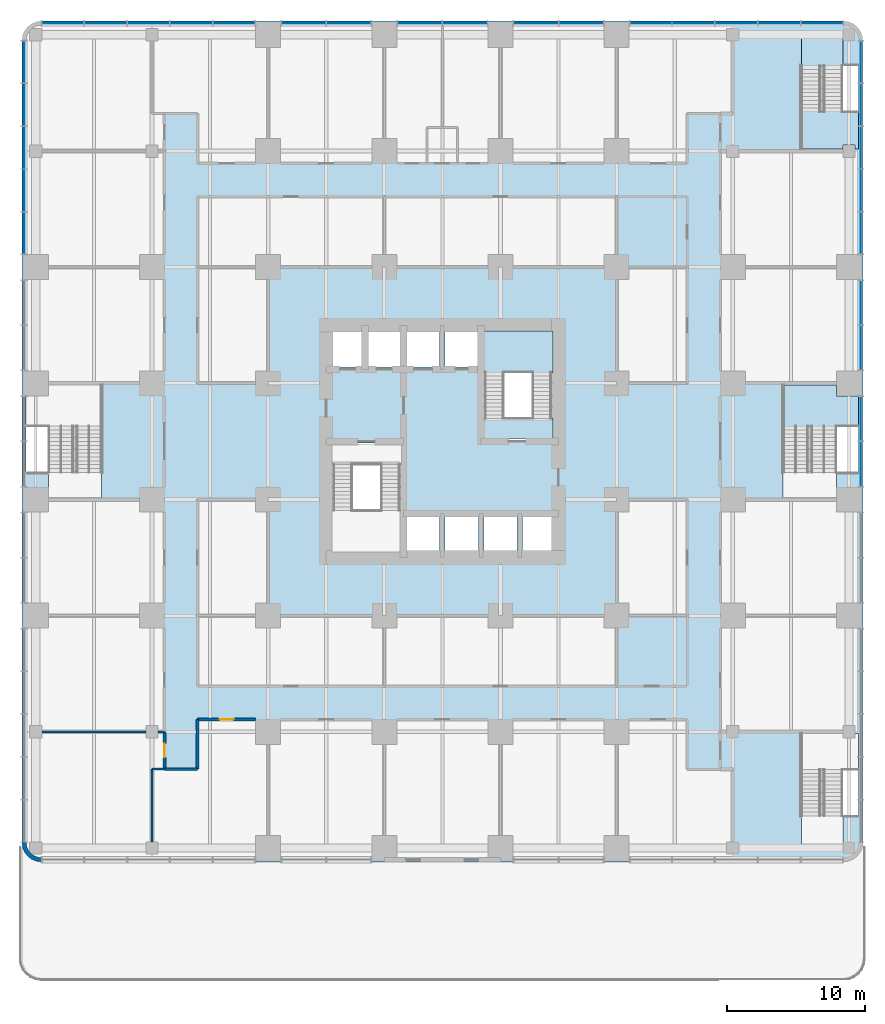
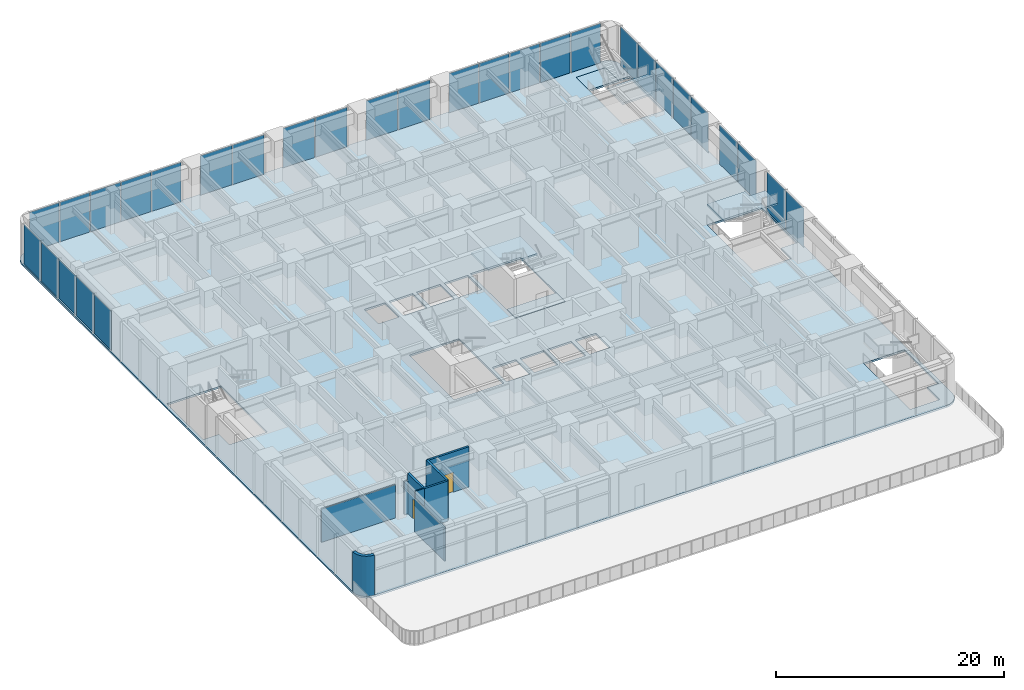
# One storey, part 9 of 19: 30 plates, 9 walls, 6 slabs, 2 doors, 2 openings, 6 elements without a shape of their own.
"""IFC4 building model written with IfcOpenShell, lengths in metres."""

from ifc_helpers import new_model, si_unit, direction, frame, frame_2d, origin, origin_2d, place, context, subcontext, project, spatial, polyline, rectangle, outline, extrude, material, layer, layer_set, type_object, element, fill, aggregate, save


model = new_model("IFC4")

# Units and contexts
model_context = context("Model", 3, precision=1e-05, world=origin(), true_north=direction((0.0, 1.0)))
body_context = subcontext(model_context, "Body", "Model", "MODEL_VIEW")
ifc_project = project(units=[si_unit("LENGTHUNIT", "METRE"), si_unit("AREAUNIT", "SQUARE_METRE"), si_unit("VOLUMEUNIT", "CUBIC_METRE"), si_unit("PLANEANGLEUNIT", "RADIAN"), si_unit("MASSUNIT", "GRAM", prefix="KILO")], contexts=[model_context])

# Site, building, storey
site_placement = place(None, origin())
site = spatial("IfcSite", under=ifc_project, at=site_placement, CompositionType="ELEMENT")
building_placement = place(site_placement, origin())
building = spatial("IfcBuilding", under=site, at=building_placement, Name="Torre Alcanfor", CompositionType="ELEMENT")
storey_placement = place(building_placement, frame((0.0, 0.0, 15.0)))
storey = spatial("IfcBuildingStorey", under=building, at=storey_placement, Name="L03", CompositionType="ELEMENT", Elevation=15.0)

# Curtain wall, plates
ifc_material_1 = material(Name="Aluminium and glass", Category="aluminium")
curtain_wall_type = type_object("IfcCurtainWallType", Name="CW-B unitised classroom glazing with vertical FIN", PredefinedType="NOTDEFINED", material=ifc_material_1)
curtain_wall_1_placement = place(storey_placement, origin())
curtain_wall_1 = element("IfcCurtainWall", 1, at=curtain_wall_1_placement, inside=storey, type_object=curtain_wall_type, Name="Curtain wall CW-B L03 1", PredefinedType="NOTDEFINED")
ifc_material_2 = material(Name="Glass", Category="glass")
ifc_layer_1 = layer(ifc_material_2, 0.028076171875)
ifc_layer_set_1 = layer_set([ifc_layer_1], Name="CW-B clear double glazed unit")
plate_type = type_object("IfcPlateType", Name="CW-B clear double glazed unit", PredefinedType="CURTAIN_PANEL", material=ifc_layer_set_1)
plate_1_placement = place(storey_placement, frame((59.64990234375, 27.768798828125, 0.0), z_axis=(0.0, 0.0, 1.0), x_axis=(0.0, 1.0, 0.0)))
plate_1 = element("IfcPlate", 2, at=plate_1_placement, type_object=plate_type, Name="CW-B panel 3.1.1", PredefinedType="CURTAIN_PANEL", context=body_context, shape_type="SweptSolid", body=[
    extrude(rectangle(XDim=3.197509765625, YDim=0.028076171875, at=origin_2d()), origin(), (0.0, 0.0, 1.0), 4.235107421875),
])
plate_2_placement = place(storey_placement, frame((59.64990234375, 31.03125, 0.0), z_axis=(0.0, 0.0, 1.0), x_axis=(0.0, 1.0, 0.0)))
plate_2 = element("IfcPlate", 3, at=plate_2_placement, type_object=plate_type, Name="CW-B panel 3.2.1", PredefinedType="CURTAIN_PANEL", context=body_context, shape_type="SweptSolid", body=[
    extrude(rectangle(XDim=3.197509765625, YDim=0.028076171875, at=origin_2d()), origin(), (0.0, 0.0, 1.0), 4.235107421875),
])
plate_3_placement = place(storey_placement, frame((59.64990234375, 36.168701171875, 0.0), z_axis=(0.0, 0.0, 1.0), x_axis=(0.0, 1.0, 0.0)))
plate_3 = element("IfcPlate", 4, at=plate_3_placement, type_object=plate_type, Name="CW-B panel 4.1.1", PredefinedType="CURTAIN_PANEL", context=body_context, shape_type="SweptSolid", body=[
    extrude(rectangle(XDim=3.197509765625, YDim=0.028076171875, at=origin_2d()), origin(), (0.0, 0.0, 1.0), 4.235107421875),
])
plate_4_placement = place(storey_placement, frame((59.64990234375, 39.43115234375, 0.0), z_axis=(0.0, 0.0, 1.0), x_axis=(0.0, 1.0, 0.0)))
plate_4 = element("IfcPlate", 5, at=plate_4_placement, type_object=plate_type, Name="CW-B panel 4.2.1", PredefinedType="CURTAIN_PANEL", context=body_context, shape_type="SweptSolid", body=[
    extrude(rectangle(XDim=3.197509765625, YDim=0.028076171875, at=origin_2d()), origin(), (0.0, 0.0, 1.0), 4.235107421875),
])
plate_5_placement = place(storey_placement, frame((59.64990234375, 44.470703125, 0.0), z_axis=(0.0, 0.0, 1.0), x_axis=(0.0, 1.0, 0.0)))
plate_5 = element("IfcPlate", 6, at=plate_5_placement, type_object=plate_type, Name="CW-B panel 5.1.1", PredefinedType="CURTAIN_PANEL", context=body_context, shape_type="SweptSolid", body=[
    extrude(rectangle(XDim=3.00146484375, YDim=0.028076171875, at=origin_2d()), origin(), (0.0, 0.0, 1.0), 4.235107421875),
])
plate_6_placement = place(storey_placement, frame((59.64990234375, 47.553466796875, 0.0), z_axis=(0.0, 0.0, 1.0), x_axis=(0.0, 1.0, 0.0)))
plate_6 = element("IfcPlate", 7, at=plate_6_placement, type_object=plate_type, Name="CW-B panel 5.2.1", PredefinedType="CURTAIN_PANEL", context=body_context, shape_type="SweptSolid", body=[
    extrude(rectangle(XDim=3.033935546875, YDim=0.028076171875, at=origin_2d()), origin(), (0.0, 0.0, 1.0), 4.235107421875),
])
plate_7_placement = place(storey_placement, frame((59.64990234375, 50.652587890625, 0.0), z_axis=(0.0, 0.0, 1.0), x_axis=(0.0, 1.0, 0.0)))
plate_7 = element("IfcPlate", 8, at=plate_7_placement, type_object=plate_type, Name="CW-B panel 5.3.1", PredefinedType="CURTAIN_PANEL", context=body_context, shape_type="SweptSolid", body=[
    extrude(rectangle(XDim=3.033935546875, YDim=0.028076171875, at=origin_2d()), origin(), (0.0, 0.0, 1.0), 4.235107421875),
])
plate_8_placement = place(storey_placement, frame((59.64990234375, 53.75146484375, 0.0), z_axis=(0.0, 0.0, 1.0), x_axis=(0.0, 1.0, 0.0)))
plate_8 = element("IfcPlate", 9, at=plate_8_placement, type_object=plate_type, Name="CW-B panel 5.4.1", PredefinedType="CURTAIN_PANEL", context=body_context, shape_type="SweptSolid", body=[
    extrude(rectangle(XDim=3.033935546875, YDim=0.028076171875, at=origin_2d()), origin(), (0.0, 0.0, 1.0), 4.235107421875),
])
plate_9_placement = place(storey_placement, frame((59.64990234375, 56.834228515625, 0.0), z_axis=(0.0, 0.0, 1.0), x_axis=(0.0, 1.0, 0.0)))
plate_9 = element("IfcPlate", 10, at=plate_9_placement, type_object=plate_type, Name="CW-B panel 5.5.1", PredefinedType="CURTAIN_PANEL", context=body_context, shape_type="SweptSolid", body=[
    extrude(rectangle(XDim=3.00146484375, YDim=0.028076171875, at=origin_2d()), origin(), (0.0, 0.0, 1.0), 4.235107421875),
])
aggregate(curtain_wall_1, [plate_1, plate_2, plate_3, plate_4, plate_5, plate_6, plate_7, plate_8, plate_9])

curtain_wall_2_placement = place(storey_placement, origin())
curtain_wall_2 = element("IfcCurtainWall", 11, at=curtain_wall_2_placement, inside=storey, type_object=curtain_wall_type, Name="Curtain wall CW-B L03 2", PredefinedType="NOTDEFINED")
plate_10_placement = place(storey_placement, frame((56.834228515625, 59.64990234375, 0.0), z_axis=(0.0, 0.0, 1.0), x_axis=(-1.0, 0.0, 0.0)))
plate_10 = element("IfcPlate", 12, at=plate_10_placement, type_object=plate_type, Name="CW-B panel 1.1.1", PredefinedType="CURTAIN_PANEL", context=body_context, shape_type="SweptSolid", body=[
    extrude(rectangle(XDim=3.00146484375, YDim=0.028076171875, at=origin_2d()), origin(), (0.0, 0.0, 1.0), 4.235107421875),
])
plate_11_placement = place(storey_placement, frame((53.75146484375, 59.64990234375, 0.0), z_axis=(0.0, 0.0, 1.0), x_axis=(-1.0, 0.0, 0.0)))
plate_11 = element("IfcPlate", 13, at=plate_11_placement, type_object=plate_type, Name="CW-B panel 1.2.1", PredefinedType="CURTAIN_PANEL", context=body_context, shape_type="SweptSolid", body=[
    extrude(rectangle(XDim=3.033935546875, YDim=0.028076171875, at=origin_2d()), origin(), (0.0, 0.0, 1.0), 4.235107421875),
])
plate_12_placement = place(storey_placement, frame((50.652587890625, 59.64990234375, 0.0), z_axis=(0.0, 0.0, 1.0), x_axis=(-1.0, 0.0, 0.0)))
plate_12 = element("IfcPlate", 14, at=plate_12_placement, type_object=plate_type, Name="CW-B panel 1.3.1", PredefinedType="CURTAIN_PANEL", context=body_context, shape_type="SweptSolid", body=[
    extrude(rectangle(XDim=3.033935546875, YDim=0.028076171875, at=origin_2d()), origin(), (0.0, 0.0, 1.0), 4.235107421875),
])
plate_13_placement = place(storey_placement, frame((47.553466796875, 59.64990234375, 0.0), z_axis=(0.0, 0.0, 1.0), x_axis=(-1.0, 0.0, 0.0)))
plate_13 = element("IfcPlate", 15, at=plate_13_placement, type_object=plate_type, Name="CW-B panel 1.4.1", PredefinedType="CURTAIN_PANEL", context=body_context, shape_type="SweptSolid", body=[
    extrude(rectangle(XDim=3.033935546875, YDim=0.028076171875, at=origin_2d()), origin(), (0.0, 0.0, 1.0), 4.235107421875),
])
plate_14_placement = place(storey_placement, frame((44.470703125, 59.64990234375, 0.0), z_axis=(0.0, 0.0, 1.0), x_axis=(-1.0, 0.0, 0.0)))
plate_14 = element("IfcPlate", 16, at=plate_14_placement, type_object=plate_type, Name="CW-B panel 1.5.1", PredefinedType="CURTAIN_PANEL", context=body_context, shape_type="SweptSolid", body=[
    extrude(rectangle(XDim=3.00146484375, YDim=0.028076171875, at=origin_2d()), origin(), (0.0, 0.0, 1.0), 4.235107421875),
])
plate_15_placement = place(storey_placement, frame((39.43115234375, 59.64990234375, 0.0), z_axis=(0.0, 0.0, 1.0), x_axis=(-1.0, 0.0, 0.0)))
plate_15 = element("IfcPlate", 17, at=plate_15_placement, type_object=plate_type, Name="CW-B panel 2.1.1", PredefinedType="CURTAIN_PANEL", context=body_context, shape_type="SweptSolid", body=[
    extrude(rectangle(XDim=3.197509765625, YDim=0.028076171875, at=origin_2d()), origin(), (0.0, 0.0, 1.0), 4.235107421875),
])
plate_16_placement = place(storey_placement, frame((36.168701171875, 59.64990234375, 0.0), z_axis=(0.0, 0.0, 1.0), x_axis=(-1.0, 0.0, 0.0)))
plate_16 = element("IfcPlate", 18, at=plate_16_placement, type_object=plate_type, Name="CW-B panel 2.2.1", PredefinedType="CURTAIN_PANEL", context=body_context, shape_type="SweptSolid", body=[
    extrude(rectangle(XDim=3.197509765625, YDim=0.028076171875, at=origin_2d()), origin(), (0.0, 0.0, 1.0), 4.235107421875),
])
plate_17_placement = place(storey_placement, frame((31.03125, 59.64990234375, 0.0), z_axis=(0.0, 0.0, 1.0), x_axis=(-1.0, 0.0, 0.0)))
plate_17 = element("IfcPlate", 19, at=plate_17_placement, type_object=plate_type, Name="CW-B panel 3.1.1", PredefinedType="CURTAIN_PANEL", context=body_context, shape_type="SweptSolid", body=[
    extrude(rectangle(XDim=3.197509765625, YDim=0.028076171875, at=origin_2d()), origin(), (0.0, 0.0, 1.0), 4.235107421875),
])
plate_18_placement = place(storey_placement, frame((27.768798828125, 59.64990234375, 0.0), z_axis=(0.0, 0.0, 1.0), x_axis=(-1.0, 0.0, 0.0)))
plate_18 = element("IfcPlate", 20, at=plate_18_placement, type_object=plate_type, Name="CW-B panel 3.2.1", PredefinedType="CURTAIN_PANEL", context=body_context, shape_type="SweptSolid", body=[
    extrude(rectangle(XDim=3.197509765625, YDim=0.028076171875, at=origin_2d()), origin(), (0.0, 0.0, 1.0), 4.235107421875),
])
plate_19_placement = place(storey_placement, frame((22.63134765625, 59.64990234375, 0.0), z_axis=(0.0, 0.0, 1.0), x_axis=(-1.0, 0.0, 0.0)))
plate_19 = element("IfcPlate", 21, at=plate_19_placement, type_object=plate_type, Name="CW-B panel 4.1.1", PredefinedType="CURTAIN_PANEL", context=body_context, shape_type="SweptSolid", body=[
    extrude(rectangle(XDim=3.197509765625, YDim=0.028076171875, at=origin_2d()), origin(), (0.0, 0.0, 1.0), 4.235107421875),
])
plate_20_placement = place(storey_placement, frame((19.36865234375, 59.64990234375, 0.0), z_axis=(0.0, 0.0, 1.0), x_axis=(-1.0, 0.0, 0.0)))
plate_20 = element("IfcPlate", 22, at=plate_20_placement, type_object=plate_type, Name="CW-B panel 4.2.1", PredefinedType="CURTAIN_PANEL", context=body_context, shape_type="SweptSolid", body=[
    extrude(rectangle(XDim=3.197509765625, YDim=0.028076171875, at=origin_2d()), origin(), (0.0, 0.0, 1.0), 4.235107421875),
])
plate_21_placement = place(storey_placement, frame((14.329345703125, 59.64990234375, 0.0), z_axis=(0.0, 0.0, 1.0), x_axis=(-1.0, 0.0, 0.0)))
plate_21 = element("IfcPlate", 23, at=plate_21_placement, type_object=plate_type, Name="CW-B panel 5.1.1", PredefinedType="CURTAIN_PANEL", context=body_context, shape_type="SweptSolid", body=[
    extrude(rectangle(XDim=3.00146484375, YDim=0.028076171875, at=origin_2d()), origin(), (0.0, 0.0, 1.0), 4.235107421875),
])
plate_22_placement = place(storey_placement, frame((11.24658203125, 59.64990234375, 0.0), z_axis=(0.0, 0.0, 1.0), x_axis=(-1.0, 0.0, 0.0)))
plate_22 = element("IfcPlate", 24, at=plate_22_placement, type_object=plate_type, Name="CW-B panel 5.2.1", PredefinedType="CURTAIN_PANEL", context=body_context, shape_type="SweptSolid", body=[
    extrude(rectangle(XDim=3.033935546875, YDim=0.028076171875, at=origin_2d()), origin(), (0.0, 0.0, 1.0), 4.235107421875),
])
plate_23_placement = place(storey_placement, frame((8.1474609375, 59.64990234375, 0.0), z_axis=(0.0, 0.0, 1.0), x_axis=(-1.0, 0.0, 0.0)))
plate_23 = element("IfcPlate", 25, at=plate_23_placement, type_object=plate_type, Name="CW-B panel 5.3.1", PredefinedType="CURTAIN_PANEL", context=body_context, shape_type="SweptSolid", body=[
    extrude(rectangle(XDim=3.033935546875, YDim=0.028076171875, at=origin_2d()), origin(), (0.0, 0.0, 1.0), 4.235107421875),
])
plate_24_placement = place(storey_placement, frame((5.048583984375, 59.64990234375, 0.0), z_axis=(0.0, 0.0, 1.0), x_axis=(-1.0, 0.0, 0.0)))
plate_24 = element("IfcPlate", 26, at=plate_24_placement, type_object=plate_type, Name="CW-B panel 5.4.1", PredefinedType="CURTAIN_PANEL", context=body_context, shape_type="SweptSolid", body=[
    extrude(rectangle(XDim=3.033935546875, YDim=0.028076171875, at=origin_2d()), origin(), (0.0, 0.0, 1.0), 4.235107421875),
])
plate_25_placement = place(storey_placement, frame((1.9658203125, 59.64990234375, 0.0), z_axis=(0.0, 0.0, 1.0), x_axis=(-1.0, 0.0, 0.0)))
plate_25 = element("IfcPlate", 27, at=plate_25_placement, type_object=plate_type, Name="CW-B panel 5.5.1", PredefinedType="CURTAIN_PANEL", context=body_context, shape_type="SweptSolid", body=[
    extrude(rectangle(XDim=3.00146484375, YDim=0.028076171875, at=origin_2d()), origin(), (0.0, 0.0, 1.0), 4.235107421875),
])
aggregate(curtain_wall_2, [plate_10, plate_11, plate_12, plate_13, plate_14, plate_15, plate_16, plate_17, plate_18, plate_19, plate_20, plate_21, plate_22, plate_23, plate_24, plate_25])

curtain_wall_3_placement = place(storey_placement, origin())
curtain_wall_3 = element("IfcCurtainWall", 28, at=curtain_wall_3_placement, inside=storey, type_object=curtain_wall_type, Name="Curtain wall CW-B L03 3", PredefinedType="NOTDEFINED")
plate_26_placement = place(storey_placement, frame((-0.85009765625, 56.834228515625, 0.0), z_axis=(0.0, 0.0, 1.0), x_axis=(0.0, -1.0, 0.0)))
plate_26 = element("IfcPlate", 29, at=plate_26_placement, type_object=plate_type, Name="CW-B panel 1.1.1", PredefinedType="CURTAIN_PANEL", context=body_context, shape_type="SweptSolid", body=[
    extrude(rectangle(XDim=3.00146484375, YDim=0.028076171875, at=origin_2d()), origin(), (0.0, 0.0, 1.0), 4.235107421875),
])
plate_27_placement = place(storey_placement, frame((-0.85009765625, 53.75146484375, 0.0), z_axis=(0.0, 0.0, 1.0), x_axis=(0.0, -1.0, 0.0)))
plate_27 = element("IfcPlate", 30, at=plate_27_placement, type_object=plate_type, Name="CW-B panel 1.2.1", PredefinedType="CURTAIN_PANEL", context=body_context, shape_type="SweptSolid", body=[
    extrude(rectangle(XDim=3.033935546875, YDim=0.028076171875, at=origin_2d()), origin(), (0.0, 0.0, 1.0), 4.235107421875),
])
plate_28_placement = place(storey_placement, frame((-0.85009765625, 50.652587890625, 0.0), z_axis=(0.0, 0.0, 1.0), x_axis=(0.0, -1.0, 0.0)))
plate_28 = element("IfcPlate", 31, at=plate_28_placement, type_object=plate_type, Name="CW-B panel 1.3.1", PredefinedType="CURTAIN_PANEL", context=body_context, shape_type="SweptSolid", body=[
    extrude(rectangle(XDim=3.033935546875, YDim=0.028076171875, at=origin_2d()), origin(), (0.0, 0.0, 1.0), 4.235107421875),
])
plate_29_placement = place(storey_placement, frame((-0.85009765625, 47.553466796875, 0.0), z_axis=(0.0, 0.0, 1.0), x_axis=(0.0, -1.0, 0.0)))
plate_29 = element("IfcPlate", 32, at=plate_29_placement, type_object=plate_type, Name="CW-B panel 1.4.1", PredefinedType="CURTAIN_PANEL", context=body_context, shape_type="SweptSolid", body=[
    extrude(rectangle(XDim=3.033935546875, YDim=0.028076171875, at=origin_2d()), origin(), (0.0, 0.0, 1.0), 4.235107421875),
])
plate_30_placement = place(storey_placement, frame((-0.85009765625, 44.470703125, 0.0), z_axis=(0.0, 0.0, 1.0), x_axis=(0.0, -1.0, 0.0)))
plate_30 = element("IfcPlate", 33, at=plate_30_placement, type_object=plate_type, Name="CW-B panel 1.5.1", PredefinedType="CURTAIN_PANEL", context=body_context, shape_type="SweptSolid", body=[
    extrude(rectangle(XDim=3.00146484375, YDim=0.028076171875, at=origin_2d()), origin(), (0.0, 0.0, 1.0), 4.235107421875),
])
aggregate(curtain_wall_3, [plate_26, plate_27, plate_28, plate_29, plate_30])

# Slab
ifc_material_3 = material(Name="Concrete f'c 35 MPa", Category="concrete")
ifc_layer_2 = layer(ifc_material_3, 0.199951171875)
ifc_layer_set_2 = layer_set([ifc_layer_2], Name="Floor slab 200")
slab_type_1 = type_object("IfcSlabType", Name="Floor slab 200", PredefinedType="FLOOR", material=ifc_layer_set_2)
slab_1_placement = place(storey_placement, frame((0.0, 0.0, -0.199951171875)))
element("IfcSlab", 34, at=slab_1_placement, inside=storey, type_object=slab_type_1, Name="Floor slab L03", PredefinedType="FLOOR", context=body_context, shape_type="SweptSolid", body=[
    extrude(outline(polyline([(58.39990234375, -1.0), (58.76220703125, -0.952392578125), (59.10009765625, -0.8125), (59.389892578125, -0.58984375), (59.6123046875, -0.300048828125), (59.752197265625, 0.03759765625), (59.800048828125, 0.39990234375), (59.800048828125, 58.39990234375), (59.752197265625, 58.76220703125), (59.6123046875, 59.10009765625), (59.389892578125, 59.389892578125), (59.10009765625, 59.6123046875), (58.76220703125, 59.752197265625), (58.39990234375, 59.800048828125), (0.39990234375, 59.800048828125), (0.03759765625, 59.752197265625), (-0.300048828125, 59.6123046875), (-0.58984375, 59.389892578125), (-0.8125, 59.10009765625), (-0.952392578125, 58.76220703125), (-1.0, 58.39990234375), (-1.0, 0.39990234375), (-0.952392578125, 0.03759765625), (-0.8125, -0.300048828125), (-0.58984375, -0.58984375), (-0.300048828125, -0.8125), (0.03759765625, -0.952392578125), (0.39990234375, -1.0), (58.39990234375, -1.0)]), holes=[polyline([(21.419921875, 21.419921875), (26.47998046875, 21.419921875), (26.47998046875, 29.280029296875), (21.419921875, 29.280029296875), (21.419921875, 21.419921875)]), polyline([(32.320068359375, 29.52001953125), (37.3798828125, 29.52001953125), (37.3798828125, 37.3798828125), (32.320068359375, 37.3798828125), (32.320068359375, 29.52001953125)]), polyline([(26.800048828125, 21.5), (29.199951171875, 21.5), (29.199951171875, 24.0), (26.800048828125, 24.0), (26.800048828125, 21.5)]), polyline([(29.60009765625, 21.5), (32.0, 21.5), (32.0, 24.0), (29.60009765625, 24.0), (29.60009765625, 21.5)]), polyline([(32.39990234375, 21.5), (34.800048828125, 21.5), (34.800048828125, 24.0), (32.39990234375, 24.0), (32.39990234375, 21.5)]), polyline([(35.199951171875, 21.5), (37.300048828125, 21.5), (37.300048828125, 24.0), (35.199951171875, 24.0), (35.199951171875, 21.5)]), polyline([(21.5, 34.800048828125), (23.60009765625, 34.800048828125), (23.60009765625, 37.300048828125), (21.5, 37.300048828125), (21.5, 34.800048828125)]), polyline([(24.0, 34.800048828125), (26.39990234375, 34.800048828125), (26.39990234375, 37.300048828125), (24.0, 37.300048828125), (24.0, 34.800048828125)]), polyline([(26.800048828125, 34.800048828125), (29.199951171875, 34.800048828125), (29.199951171875, 37.300048828125), (26.800048828125, 37.300048828125), (26.800048828125, 34.800048828125)]), polyline([(29.60009765625, 34.800048828125), (32.0, 34.800048828125), (32.0, 37.300048828125), (29.60009765625, 37.300048828125), (29.60009765625, 34.800048828125)]), polyline([(4.760009765625, 25.324951171875), (0.89990234375, 25.324951171875), (0.89990234375, 27.155029296875), (-0.699951171875, 27.155029296875), (-0.699951171875, 33.47509765625), (4.760009765625, 33.47509765625), (4.760009765625, 25.324951171875)]), polyline([(57.89990234375, 25.324951171875), (54.0400390625, 25.324951171875), (54.0400390625, 33.47509765625), (59.5, 33.47509765625), (59.5, 27.155029296875), (57.89990234375, 27.155029296875), (57.89990234375, 25.324951171875)]), polyline([(58.35009765625, 0.125), (55.35009765625, 0.125), (55.35009765625, 8.27490234375), (59.5, 8.27490234375), (59.5, 2.324951171875), (58.35009765625, 2.324951171875), (58.35009765625, 0.125)]), polyline([(59.5, 56.574951171875), (59.5, 50.52490234375), (55.35009765625, 50.52490234375), (55.35009765625, 58.77490234375), (58.35009765625, 58.77490234375), (58.35009765625, 56.574951171875), (59.5, 56.574951171875)])]), origin(), (0.0, 0.0, 1.0), 0.199951171875),
])

# Stair, slabs
ifc_material_4 = material(Name="Concrete f'c 35 MPa", Category="concrete")
stair_type_1 = type_object("IfcStairType", Name="Exit stair S2 1400 wide", PredefinedType="HALF_TURN_STAIR", material=ifc_material_4)
stair_1_placement = place(storey_placement, origin())
stair_1 = element("IfcStair", 35, at=stair_1_placement, inside=storey, type_object=stair_type_1, Name="Stair S2 L03 to L04", PredefinedType="HALF_TURN_STAIR")
ifc_material_5 = material(Name="Concrete f'c 35 MPa", Category="concrete")
ifc_layer_3 = layer(ifc_material_5, 0.199951171875)
ifc_layer_set_3 = layer_set([ifc_layer_3], Name="Stair landing 200")
slab_type_2 = type_object("IfcSlabType", Name="Stair landing 200", PredefinedType="LANDING", material=ifc_layer_set_3)
slab_2_placement = place(storey_placement, frame((0.0, 0.0, -0.199951171875)))
slab_2 = element("IfcSlab", 36, at=slab_2_placement, type_object=slab_type_2, Name="S2 landing 1", PredefinedType="LANDING", context=body_context, shape_type="SweptSolid", body=[
    extrude(outline(polyline([(32.3701171875, 29.570068359375), (37.3798828125, 29.570068359375), (37.3798828125, 31.10009765625), (32.3701171875, 31.10009765625), (32.3701171875, 29.570068359375)])), origin(), (0.0, 0.0, 1.0), 0.199951171875),
])
slab_3_placement = place(storey_placement, frame((0.0, 0.0, 2.050048828125)))
slab_3 = element("IfcSlab", 37, at=slab_3_placement, type_object=slab_type_2, Name="S2 landing 2", PredefinedType="LANDING", context=body_context, shape_type="SweptSolid", body=[
    extrude(outline(polyline([(32.3701171875, 34.360107421875), (37.3798828125, 34.360107421875), (37.3798828125, 37.3798828125), (32.3701171875, 37.3798828125), (32.3701171875, 34.360107421875)])), origin(), (0.0, 0.0, 1.0), 0.199951171875),
])
aggregate(stair_1, [slab_2, slab_3])

# Stair, slab
ifc_material_6 = material(Name="Concrete f'c 35 MPa", Category="concrete")
stair_type_2 = type_object("IfcStairType", Name="Exit stair SS2 1830 wide", PredefinedType="HALF_TURN_STAIR", material=ifc_material_6)
stair_2_placement = place(storey_placement, origin())
stair_2 = element("IfcStair", 38, at=stair_2_placement, inside=storey, type_object=stair_type_2, Name="Stair SS2 L03 to L04", PredefinedType="HALF_TURN_STAIR")
slab_4_placement = place(storey_placement, frame((0.0, 0.0, 2.050048828125)))
slab_4 = element("IfcSlab", 39, at=slab_4_placement, type_object=slab_type_2, Name="SS2 landing 2", PredefinedType="LANDING", context=body_context, shape_type="SweptSolid", body=[
    extrude(outline(polyline([(59.5, 30.465087890625), (54.0400390625, 30.465087890625), (54.0400390625, 33.465087890625), (57.89990234375, 33.465087890625), (57.89990234375, 32.699951171875), (59.5, 32.699951171875), (59.5, 30.465087890625)])), origin(), (0.0, 0.0, 1.0), 0.199951171875),
])
aggregate(stair_2, [slab_4])

# Stair, slabs
ifc_material_7 = material(Name="Concrete f'c 35 MPa", Category="concrete")
stair_type_3 = type_object("IfcStairType", Name="Exit stair SS4 1400 wide", PredefinedType="HALF_TURN_STAIR", material=ifc_material_7)
stair_3_placement = place(storey_placement, origin())
stair_3 = element("IfcStair", 40, at=stair_3_placement, inside=storey, type_object=stair_type_3, Name="Stair SS4 L03 to L04", PredefinedType="HALF_TURN_STAIR")
slab_5_placement = place(storey_placement, frame((0.0, 0.0, -0.199951171875)))
slab_5 = element("IfcSlab", 41, at=slab_5_placement, type_object=slab_type_2, Name="SS4 landing 1", PredefinedType="LANDING", context=body_context, shape_type="SweptSolid", body=[
    extrude(outline(polyline([(55.35009765625, 58.77490234375), (58.35009765625, 58.77490234375), (58.35009765625, 58.35009765625), (58.35009765625, 58.35009765625), (58.35009765625, 56.52490234375), (55.35009765625, 56.52490234375), (55.35009765625, 58.77490234375)])), origin(), (0.0, 0.0, 1.0), 0.199951171875),
])
slab_6_placement = place(storey_placement, frame((0.0, 0.0, 2.050048828125)))
slab_6 = element("IfcSlab", 42, at=slab_6_placement, type_object=slab_type_2, Name="SS4 landing 2", PredefinedType="LANDING", context=body_context, shape_type="SweptSolid", body=[
    extrude(outline(polyline([(55.35009765625, 50.5400390625), (55.35009765625, 53.264892578125), (59.5, 53.264892578125), (59.5, 50.5400390625), (59.25, 50.5400390625), (59.25, 50.85009765625), (58.35009765625, 50.85009765625), (58.35009765625, 50.5400390625), (55.35009765625, 50.5400390625)])), origin(), (0.0, 0.0, 1.0), 0.199951171875),
])
aggregate(stair_3, [slab_5, slab_6])

# Walls
ifc_material_8 = material(Name="Concrete block masonry, hollow blocks NMX-C-404 9 MPa", Category="masonry")
ifc_layer_4 = layer(ifc_material_8, 0.14990234375)
ifc_layer_set_4 = layer_set([ifc_layer_4], Name="Classroom partition 150")
wall_type_1 = type_object("IfcWallType", Name="Classroom partition 150", PredefinedType="PARTITIONING", material=ifc_layer_set_4)
wall_1_placement = place(storey_placement, frame((8.39990234375, 0.449951171875, 0.0), z_axis=(0.0, 0.0, 1.0), x_axis=(0.0, 1.0, 0.0)))
element("IfcWall", 43, at=wall_1_placement, inside=storey, type_object=wall_type_1, Name="Partition L03-01 / L03-03", PredefinedType="PARTITIONING", context=body_context, shape_type="SweptSolid", body=[
    extrude(rectangle(XDim=5.25, YDim=0.14990234375, at=frame_2d((2.625, 0.0))), origin(), (0.0, 0.0, 1.0), 3.543212890625),
])
wall_2_placement = place(storey_placement, frame((8.39990234375, 5.699951171875, 0.0), z_axis=(0.0, 0.0, 1.0), x_axis=(1.0, 0.0, 0.0)))
element("IfcWall", 44, at=wall_2_placement, inside=storey, type_object=wall_type_1, Name="Partition L03-01 / L03-03", PredefinedType="PARTITIONING", context=body_context, shape_type="SweptSolid", body=[
    extrude(rectangle(XDim=0.900146484375, YDim=0.14990234375, at=frame_2d((0.4501953125, 0.0))), origin(), (0.0, 0.0, 1.0), 4.300048828125),
])
wall_3_placement = place(storey_placement, frame((0.449951171875, 8.39990234375, 0.0), z_axis=(0.0, 0.0, 1.0), x_axis=(1.0, 0.0, 0.0)))
element("IfcWall", 45, at=wall_3_placement, inside=storey, type_object=wall_type_1, Name="Partition L03-03 / L03-08", PredefinedType="PARTITIONING", context=body_context, shape_type="SweptSolid", body=[
    extrude(rectangle(XDim=7.5, YDim=0.14990234375, at=frame_2d((3.75, 0.0))), origin(), (0.0, 0.0, 1.0), 3.543212890625),
])
wall_4_placement = place(storey_placement, frame((8.85009765625, 8.39990234375, 0.0), z_axis=(0.0, 0.0, 1.0), x_axis=(1.0, 0.0, 0.0)))
element("IfcWall", 46, at=wall_4_placement, inside=storey, type_object=wall_type_1, Name="Partition L03-03 / L03-08", PredefinedType="PARTITIONING", context=body_context, shape_type="SweptSolid", body=[
    extrude(rectangle(XDim=0.449951171875, YDim=0.14990234375, at=frame_2d((0.22509765625, 0.0))), origin(), (0.0, 0.0, 1.0), 3.543212890625),
])
ifc_material_9 = material(Name="Limestone cladding", Category="masonry")
ifc_layer_5 = layer(ifc_material_9, 0.0400390625, Name="Facing")
ifc_material_10 = material(Name="Ventilated air cavity")
ifc_layer_6 = layer(ifc_material_10, 0.02001953125, ventilated=True, Name="Ventilated joint")
ifc_material_11 = material(Name="Mineral wool insulation", Category="insulation")
ifc_layer_7 = layer(ifc_material_11, 0.10009765625, Name="Insulation")
ifc_material_12 = material(Name="Concrete f'c 35 MPa", Category="concrete")
ifc_layer_8 = layer(ifc_material_12, 0.139892578125, Name="Backing")
ifc_layer_set_5 = layer_set([ifc_layer_5, ifc_layer_6, ifc_layer_7, ifc_layer_8], Name="Rounded corner pier stone-clad 300")
wall_type_2 = type_object("IfcWallType", Name="Rounded corner pier stone-clad 300", PredefinedType="SOLIDWALL", material=ifc_layer_set_5)
wall_5_placement = place(storey_placement, frame((-0.847901787, 0.444811019, 0.0), z_axis=(0.0, 0.0, 1.0), x_axis=(-0.707106781187, -0.707106781187, 0.0)))
element("IfcWall", 47, at=wall_5_placement, inside=storey, type_object=wall_type_2, Name="Corner pier L03 7", PredefinedType="SOLIDWALL", context=body_context, shape_type="SweptSolid", body=[
    extrude(outline(polyline([(0.13930490662203532, 1.9039664315138563), (-0.10082828005532996, 1.7197664960826926), (-0.08684496724377955, 1.705783183271142), (0.09959920357689223, 1.4627152272382664), (0.2092214706797873, 1.1980680847678131), (0.24668293833542226, 0.9140859912492898), (0.2092214706797873, 0.6301038977307667), (0.09959920357689234, 0.3654567552603133), (-0.0868449672437794, 0.12238879922743755), (-0.10082828005532977, 0.10840548641588717), (0.13930490662203537, -0.07579444901527647), (0.36182947716633707, 0.2140571832142678), (0.5016626052818409, 0.5517282925894844), (0.5491368154445118, 0.9140859912492898), (0.5016626052818408, 1.2764436899090952), (0.36182947716633707, 1.614114799284312), (0.13930490662203532, 1.9039664315138563)])), origin(), (0.0, 0.0, 1.0), 4.300048828125),
])
ifc_material_13 = material(Name="Concrete block masonry, hollow blocks NMX-C-404 9 MPa", Category="masonry")
ifc_layer_9 = layer(ifc_material_13, 0.199951171875)
ifc_layer_set_6 = layer_set([ifc_layer_9], Name="School corridor wall 200")
wall_type_3 = type_object("IfcWallType", Name="School corridor wall 200", PredefinedType="PARTITIONING", material=ifc_layer_set_6)
wall_6_placement = place(storey_placement, frame((9.300048828125, 5.699951171875, 0.0), z_axis=(0.0, 0.0, 1.0), x_axis=(1.0, 0.0, 0.0)))
element("IfcWall", 48, at=wall_6_placement, inside=storey, type_object=wall_type_3, Name="Partition L03-01 / L03-CORR", PredefinedType="PARTITIONING", context=body_context, shape_type="SweptSolid", body=[
    extrude(rectangle(XDim=2.39990234375, YDim=0.199951171875, at=frame_2d((1.199951171875, 0.0))), origin(), (0.0, 0.0, 1.0), 4.300048828125),
])
wall_7_placement = place(storey_placement, frame((11.699951171875, 5.699951171875, 0.0), z_axis=(0.0, 0.0, 1.0), x_axis=(0.0, 1.0, 0.0)))
element("IfcWall", 49, at=wall_7_placement, inside=storey, type_object=wall_type_3, Name="Partition L03-01 / L03-CORR", PredefinedType="PARTITIONING", context=body_context, shape_type="SweptSolid", body=[
    extrude(rectangle(XDim=3.60009765625, YDim=0.199951171875, at=frame_2d((1.800048828125, 0.0))), origin(), (0.0, 0.0, 1.0), 4.300048828125),
])

# Wall, opening, door
wall_8_placement = place(storey_placement, frame((11.699951171875, 9.300048828125, 0.0), z_axis=(0.0, 0.0, 1.0), x_axis=(1.0, 0.0, 0.0)))
wall_8 = element("IfcWall", 50, at=wall_8_placement, inside=storey, type_object=wall_type_3, Name="Partition L03-01 / L03-CORR", PredefinedType="PARTITIONING", context=body_context, shape_type="SweptSolid", body=[
    extrude(rectangle(XDim=4.199951171875, YDim=0.199951171875, at=frame_2d((2.10009765625, 0.0))), origin(), (0.0, 0.0, 1.0), 4.300048828125),
])
opening_1_placement = place(wall_8_placement, frame((1.60009765625, 0.0, 0.0)))
opening_1 = element("IfcOpeningElement", 51, at=opening_1_placement, cuts=wall_8, Name="Opening D-C1", PredefinedType="OPENING", context=body_context, shape_type="SweptSolid", body=[
    extrude(rectangle(XDim=1.0, YDim=2.10009765625, at=frame_2d((0.5, 1.050048828125))), frame((0.0, 0.10986328125, 0.0), z_axis=(0.0, -1.0, 0.0), x_axis=(1.0, 0.0, 0.0)), (0.0, 0.0, 1.0), 0.219970703125),
])
ifc_material_14 = material(Name="Timber", Category="wood")
door_type = type_object("IfcDoorType", Name="Classroom door 1000x2100", OperationType="SINGLE_SWING_RIGHT", PredefinedType="DOOR", material=ifc_material_14)
door_1_placement = place(opening_1_placement, frame((1.0, 0.0, 0.0), z_axis=(0.0, 0.0, 1.0), x_axis=(-1.0, 0.0, 0.0)))
door_1 = element("IfcDoor", 52, at=door_1_placement, inside=storey, type_object=door_type, Name="Door L03-01 classroom", OperationType="SINGLE_SWING_RIGHT", OverallHeight=2.10009765625, OverallWidth=1.0, PredefinedType="DOOR", context=body_context, shape_type="SweptSolid", body=[
    extrude(rectangle(XDim=1.0, YDim=2.10009765625, at=frame_2d((0.5, 1.050048828125))), frame((0.0, 0.025146484375, 0.0), z_axis=(0.0, -1.0, 0.0), x_axis=(1.0, 0.0, 0.0)), (0.0, 0.0, 1.0), 0.050048828125),
])
fill(opening_1, door_1)

wall_9_placement = place(storey_placement, frame((9.300048828125, 8.39990234375, 0.0), z_axis=(0.0, 0.0, 1.0), x_axis=(0.0, -1.0, 0.0)))
wall_9 = element("IfcWall", 53, at=wall_9_placement, inside=storey, type_object=wall_type_3, Name="Partition L03-03 / L03-CORR", PredefinedType="PARTITIONING", context=body_context, shape_type="SweptSolid", body=[
    extrude(rectangle(XDim=2.699951171875, YDim=0.199951171875, at=frame_2d((1.35009765625, 0.0))), origin(), (0.0, 0.0, 1.0), 4.300048828125),
])
opening_2_placement = place(wall_9_placement, frame((0.85009765625, 0.0, 0.0)))
opening_2 = element("IfcOpeningElement", 54, at=opening_2_placement, cuts=wall_9, Name="Opening D-C1", PredefinedType="OPENING", context=body_context, shape_type="SweptSolid", body=[
    extrude(rectangle(XDim=1.0, YDim=2.10009765625, at=frame_2d((0.5, 1.050048828125))), frame((0.0, 0.10986328125, 0.0), z_axis=(0.0, -1.0, 0.0), x_axis=(1.0, 0.0, 0.0)), (0.0, 0.0, 1.0), 0.219970703125),
])
door_2_placement = place(opening_2_placement, frame((1.0, 0.0, 0.0), z_axis=(0.0, 0.0, 1.0), x_axis=(-1.0, 0.0, 0.0)))
door_2 = element("IfcDoor", 55, at=door_2_placement, inside=storey, type_object=door_type, Name="Door L03-03 classroom", OperationType="SINGLE_SWING_RIGHT", OverallHeight=2.10009765625, OverallWidth=1.0, PredefinedType="DOOR", context=body_context, shape_type="SweptSolid", body=[
    extrude(rectangle(XDim=1.0, YDim=2.10009765625, at=frame_2d((0.5, 1.050048828125))), frame((0.0, 0.025146484375, 0.0), z_axis=(0.0, -1.0, 0.0), x_axis=(1.0, 0.0, 0.0)), (0.0, 0.0, 1.0), 0.050048828125),
])
fill(opening_2, door_2)

save(model, "model.ifc")
